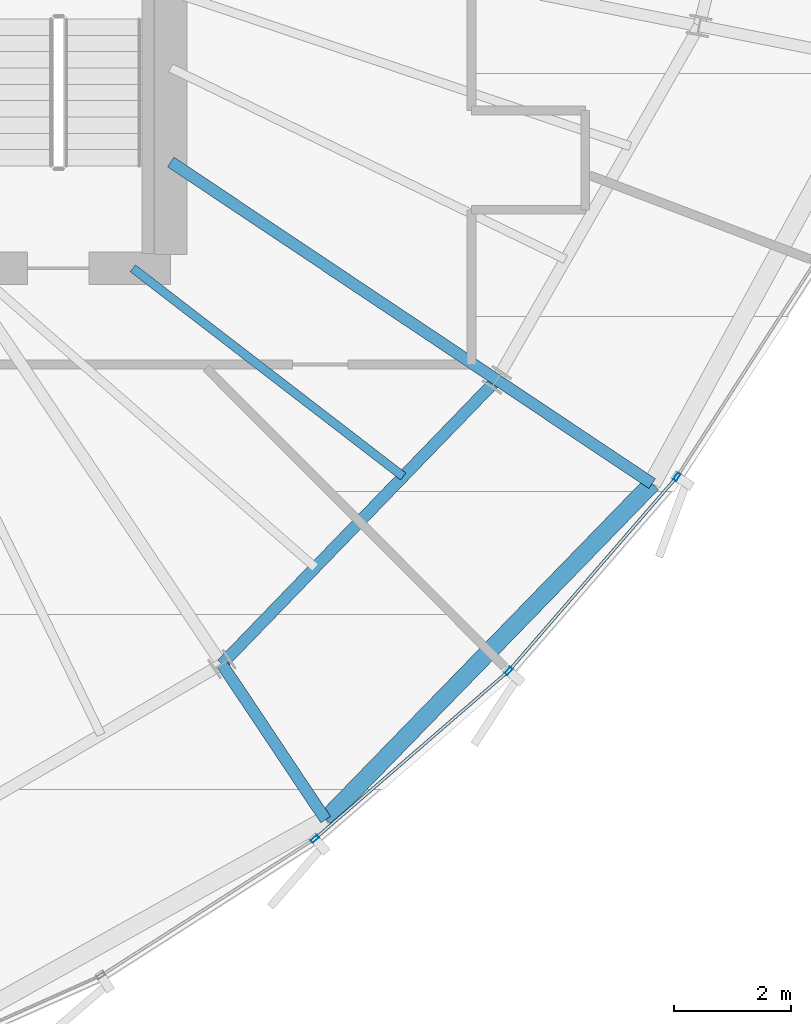
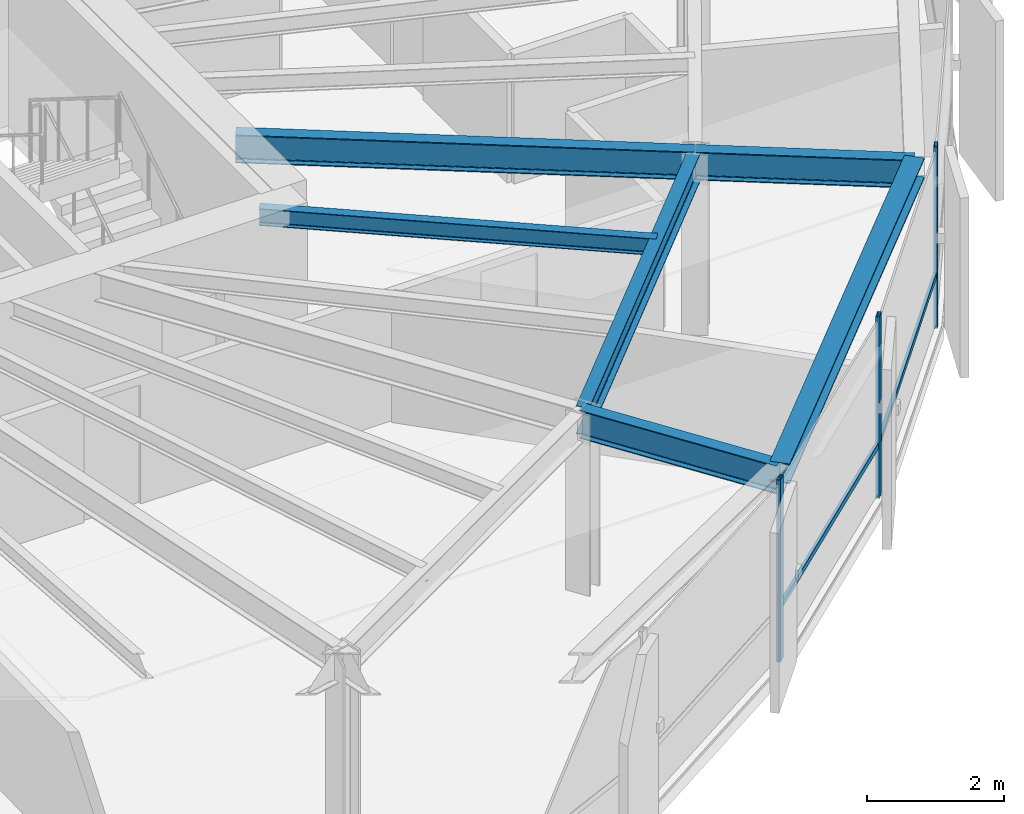
# One storey, part 12 of 34: 6 beams, 5 members, 1 element without a shape of its own.
"""IFC4 building model written with IfcOpenShell, lengths in metres."""

from ifc_helpers import new_model, si_unit, direction, frame, origin, origin_2d, place, context, subcontext, project, spatial, hollow_rectangle, i_section, extrude, source, transform, mapped, material, layer, layer_set, material_profile, profile_set, type_object, element, aggregate, save


model = new_model("IFC4")

# Units and contexts
model_context = context("Model", 3, precision=1e-05, world=origin(), true_north=direction((0.0, 1.0)))
body_context = subcontext(model_context, "Body", "Model", "MODEL_VIEW")
ifc_project = project(units=[si_unit("LENGTHUNIT", "METRE"), si_unit("AREAUNIT", "SQUARE_METRE"), si_unit("VOLUMEUNIT", "CUBIC_METRE"), si_unit("PLANEANGLEUNIT", "RADIAN"), si_unit("MASSUNIT", "GRAM", prefix="KILO"), si_unit("THERMODYNAMICTEMPERATUREUNIT", "KELVIN")], contexts=[model_context])

# Site, building, storey
site_placement = place(None, origin())
site = spatial("IfcSite", under=ifc_project, at=site_placement, CompositionType="ELEMENT")
building_placement = place(site_placement, origin())
building = spatial("IfcBuilding", under=site, at=building_placement, Name="Kethvar Cultural Tower", CompositionType="ELEMENT")
storey_placement = place(building_placement, frame((0.0, 0.0, 214.89990234375)))
storey = spatial("IfcBuildingStorey", under=building, at=storey_placement, Name="L56", CompositionType="ELEMENT", Elevation=214.89990234375)

# Beams
ifc_material_1 = material(Name="Steel S355J2", Category="steel")
ifc_material_profile_1 = material_profile(ifc_material_1, i_section(OverallWidth=0.199951171875, OverallDepth=0.5, WebThickness=0.01025390625, FlangeThickness=0.01611328125, FilletRadius=0.02099609375, at=origin_2d()), Name="Steel S355J2 — IPE500")
ifc_profile_set_1 = profile_set([ifc_material_profile_1], Name="Steel S355J2 — IPE500")
beam_type_1 = type_object("IfcBeamType", Name="BM-IPE500", PredefinedType="BEAM", material=ifc_profile_set_1)
shared_shape_1 = source(origin(), body_context, "Body", "SweptSolid", [
    extrude(i_section(OverallWidth=0.199951171875, OverallDepth=0.5, WebThickness=0.01025390625, FlangeThickness=0.01611328125, FilletRadius=0.02099609375, at=origin_2d()), origin(), (0.0, 0.0, 1.0), 3.199951171875),
])
for number, where, z_axis, x_axis, name in (
    (1, (56.474609375, 13.32080078125, 2.988037109375), (0.555580212716, -0.831462943996, 0.0), (0.831462943996, 0.555580212716, 0.0), "L56 Perimeter Cantilever Beam RC-14"),
    (2, (61.1826171875, 18.18994140625, 2.988037109375), (0.831462943996, -0.555580212716, 0.0), (0.555580212716, 0.831462943996, 0.0), "L56 Perimeter Cantilever Beam RC-15"),
):
    element("IfcBeam", number, at=place(storey_placement, frame(where, z_axis=z_axis, x_axis=x_axis)), inside=storey, type_object=beam_type_1, Name=name, PredefinedType="BEAM", context=body_context, shape_type="MappedRepresentation", body=[
        mapped(shared_shape_1, transform((0.0, 0.0, 0.0), scale=1.0)),
    ])
shared_shape_2 = source(origin(), body_context, "Body", "SweptSolid", [
    extrude(i_section(OverallWidth=0.199951171875, OverallDepth=0.5, WebThickness=0.01025390625, FlangeThickness=0.01611328125, FilletRadius=0.02099609375, at=origin_2d()), origin(), (0.0, 0.0, 1.0), 6.7138671875),
])
beam_1_placement = place(storey_placement, frame((55.60009765625, 21.919921875, 2.988037109375), z_axis=(0.831479232731, -0.555555834762, 0.0), x_axis=(0.555555834762, 0.831479232731, 0.0)))
element("IfcBeam", 3, at=beam_1_placement, inside=storey, type_object=beam_type_1, Name="L56 Primary Radial Beam RB-15", PredefinedType="BEAM", context=body_context, shape_type="MappedRepresentation", body=[
    mapped(shared_shape_2, transform((0.0, 0.0, 0.0), scale=1.0)),
])
shared_shape_3 = source(origin(), body_context, "Body", "SweptSolid", [
    extrude(i_section(OverallWidth=0.199951171875, OverallDepth=0.5, WebThickness=0.01025390625, FlangeThickness=0.01611328125, FilletRadius=0.02099609375, at=origin_2d()), origin(), (0.0, 0.0, 1.0), 6.77294921875),
])
beam_2_placement = place(storey_placement, frame((56.474609375, 13.32080078125, 2.988037109375), z_axis=(0.695111533644, 0.718901909717, 0.0), x_axis=(-0.718901909717, 0.695111533644, 0.0)))
element("IfcBeam", 4, at=beam_2_placement, inside=storey, type_object=beam_type_1, Name="L56 Column Ring Tie Beam CR-14", PredefinedType="BEAM", context=body_context, shape_type="MappedRepresentation", body=[
    mapped(shared_shape_3, transform((0.0, 0.0, 0.0), scale=1.0)),
])
ifc_material_profile_2 = material_profile(ifc_material_1, i_section(OverallWidth=0.300048828125, OverallDepth=0.360107421875, WebThickness=0.012451171875, FlangeThickness=0.0224609375, FilletRadius=0.027099609375, at=origin_2d()), Name="Steel S355J2 — HEB360")
ifc_profile_set_2 = profile_set([ifc_material_profile_2], Name="Steel S355J2 — HEB360")
beam_type_2 = type_object("IfcBeamType", Name="BM-SP360", PredefinedType="SPANDREL", material=ifc_profile_set_2)
shared_shape_4 = source(origin(), body_context, "Body", "SweptSolid", [
    extrude(i_section(OverallWidth=0.300048828125, OverallDepth=0.360107421875, WebThickness=0.012451171875, FlangeThickness=0.0224609375, FilletRadius=0.027099609375, at=origin_2d()), origin(), (0.0, 0.0, 1.0), 8.021240234375),
])
beam_3_placement = place(storey_placement, frame((58.25244140625, 10.66015625, 3.05810546875), z_axis=(0.696991461782, 0.71707942531, 0.0), x_axis=(-0.71707942531, 0.696991461782, 0.0)))
element("IfcBeam", 5, at=beam_3_placement, inside=storey, type_object=beam_type_2, Name="L56 Perimeter Spandrel Beam SP-14", PredefinedType="SPANDREL", context=body_context, shape_type="MappedRepresentation", body=[
    mapped(shared_shape_4, transform((0.0, 0.0, 0.0), scale=1.0)),
])
ifc_material_profile_3 = material_profile(ifc_material_1, i_section(OverallWidth=0.14990234375, OverallDepth=0.300048828125, WebThickness=0.007080078125, FlangeThickness=0.0107421875, FilletRadius=0.014892578125, at=origin_2d()), Name="Steel S355J2 — IPE300")
ifc_profile_set_3 = profile_set([ifc_material_profile_3], Name="Steel S355J2 — IPE300")
beam_type_3 = type_object("IfcBeamType", Name="BM-J300", PredefinedType="JOIST", material=ifc_profile_set_3)
shared_shape_5 = source(origin(), body_context, "Body", "SweptSolid", [
    extrude(i_section(OverallWidth=0.14990234375, OverallDepth=0.300048828125, WebThickness=0.007080078125, FlangeThickness=0.0107421875, FilletRadius=0.014892578125, at=origin_2d()), origin(), (0.0, 0.0, 1.0), 5.84521484375),
])
beam_4_placement = place(storey_placement, frame((54.949951171875, 20.10009765625, 3.088134765625), z_axis=(0.792398798307, -0.610003397073, 0.0), x_axis=(0.610003397073, 0.792398798307, 0.0)))
element("IfcBeam", 6, at=beam_4_placement, inside=storey, type_object=beam_type_3, Name="L56 Composite Floor Joist J-14B", PredefinedType="JOIST", context=body_context, shape_type="MappedRepresentation", body=[
    mapped(shared_shape_5, transform((0.0, 0.0, 0.0), scale=1.0)),
])

# Curtain wall, members
ifc_material_2 = material(Name="Aluminium 6063-T6", Category="aluminium")
ifc_layer = layer(ifc_material_2, 0.179931640625, Name="Aluminium 6063-T6", Category="aluminium")
ifc_layer_set = layer_set([ifc_layer], Name="Aluminium 6063-T6 (180 mm)")
curtain_wall_type = type_object("IfcCurtainWallType", Name="CW-SYS-04-Z34", PredefinedType="NOTDEFINED", material=ifc_layer_set)
curtain_wall_placement = place(storey_placement, origin())
curtain_wall = element("IfcCurtainWall", 7, at=curtain_wall_placement, inside=storey, type_object=curtain_wall_type, Name="L56 Curtain Wall Run 05", PredefinedType="NOTDEFINED")
ifc_material_profile_4 = material_profile(ifc_material_2, hollow_rectangle(XDim=0.06005859375, YDim=0.139892578125, WallThickness=0.0048828125, at=origin_2d()), Name="Aluminium 6063-T6 — RHS140x60x5")
ifc_profile_set_4 = profile_set([ifc_material_profile_4], Name="Aluminium 6063-T6 — RHS140x60x5")
member_type_1 = type_object("IfcMemberType", Name="CW-SYS-04-Z34-MUL", PredefinedType="MULLION", material=ifc_profile_set_4)
shared_shape_6 = source(origin(), body_context, "Body", "SweptSolid", [
    extrude(hollow_rectangle(XDim=0.06005859375, YDim=0.139892578125, WallThickness=0.0048828125, at=origin_2d()), origin(), (0.0, 0.0, 1.0), 3.239990234375),
])
member_1_placement = place(storey_placement, frame((58.0673828125, 10.328857421875, 0.0), z_axis=(0.0, 0.0, 1.0), x_axis=(-0.654727621486, 0.755864896435, 0.0)))
member_1 = element("IfcMember", 8, at=member_1_placement, type_object=member_type_1, Name="CW-L56-R05 Mullion 3", PredefinedType="MULLION", context=body_context, shape_type="MappedRepresentation", body=[
    mapped(shared_shape_6, transform((0.0, 0.0, 0.0), scale=1.0)),
])
member_2_placement = place(storey_placement, frame((61.38671875, 13.202392578125, 0.0), z_axis=(0.0, 0.0, 1.0), x_axis=(-0.755762042736, 0.654846344388, 0.0)))
member_2 = element("IfcMember", 9, at=member_2_placement, type_object=member_type_1, Name="CW-L56-R05 Mullion 4", PredefinedType="MULLION", context=body_context, shape_type="MappedRepresentation", body=[
    mapped(shared_shape_6, transform((0.0, 0.0, 0.0), scale=1.0)),
])
member_3_placement = place(storey_placement, frame((64.268798828125, 16.527099609375, 0.0), z_axis=(0.0, 0.0, 1.0), x_axis=(-0.841171172856, 0.540768950622, 0.0)))
member_3 = element("IfcMember", 10, at=member_3_placement, type_object=member_type_1, Name="CW-L56-R05 Mullion 5", PredefinedType="MULLION", context=body_context, shape_type="MappedRepresentation", body=[
    mapped(shared_shape_6, transform((0.0, 0.0, 0.0), scale=1.0)),
])
ifc_material_profile_5 = material_profile(ifc_material_2, hollow_rectangle(XDim=0.050048828125, YDim=0.10009765625, WallThickness=0.00390625, at=origin_2d()), Name="Aluminium 6063-T6 — RHS100x50x4")
ifc_profile_set_5 = profile_set([ifc_material_profile_5], Name="Aluminium 6063-T6 — RHS100x50x4")
member_type_2 = type_object("IfcMemberType", Name="CW-SYS-04-Z34-TRN", PredefinedType="USERDEFINED", material=ifc_profile_set_5)
shared_shape_7 = source(origin(), body_context, "Body", "SweptSolid", [
    extrude(hollow_rectangle(XDim=0.050048828125, YDim=0.10009765625, WallThickness=0.00390625, at=origin_2d()), origin(), (0.0, 0.0, 1.0), 4.329345703125),
])
member_4_placement = place(storey_placement, frame((61.414794921875, 13.235107421875, 0.9501953125), z_axis=(0.654863983526, 0.755746758565, 0.0), x_axis=(-0.755746758565, 0.654863983526, 0.0)))
member_4 = element("IfcMember", 11, at=member_4_placement, type_object=member_type_2, Name="CW-L56-R05 Transom 4", ObjectType="TRANSOM", PredefinedType="USERDEFINED", context=body_context, shape_type="MappedRepresentation", body=[
    mapped(shared_shape_7, transform((0.0, 0.0, 0.0), scale=1.0)),
])
shared_shape_8 = source(origin(), body_context, "Body", "SweptSolid", [
    extrude(hollow_rectangle(XDim=0.050048828125, YDim=0.10009765625, WallThickness=0.00390625, at=origin_2d()), origin(), (0.0, 0.0, 1.0), 4.319580078125),
])
member_5_placement = place(storey_placement, frame((58.10009765625, 10.357177734375, 0.9501953125), z_axis=(0.7558550351, 0.654739005952, 0.0), x_axis=(-0.654739005952, 0.7558550351, 0.0)))
member_5 = element("IfcMember", 12, at=member_5_placement, type_object=member_type_2, Name="CW-L56-R05 Transom 3", ObjectType="TRANSOM", PredefinedType="USERDEFINED", context=body_context, shape_type="MappedRepresentation", body=[
    mapped(shared_shape_8, transform((0.0, 0.0, 0.0), scale=1.0)),
])
aggregate(curtain_wall, [member_1, member_2, member_3, member_5, member_4])

save(model, "model.ifc")
